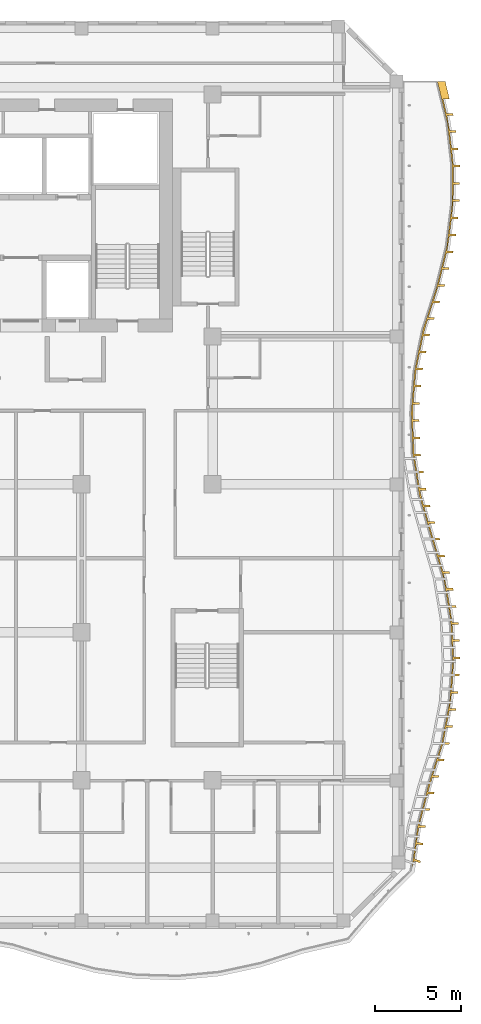
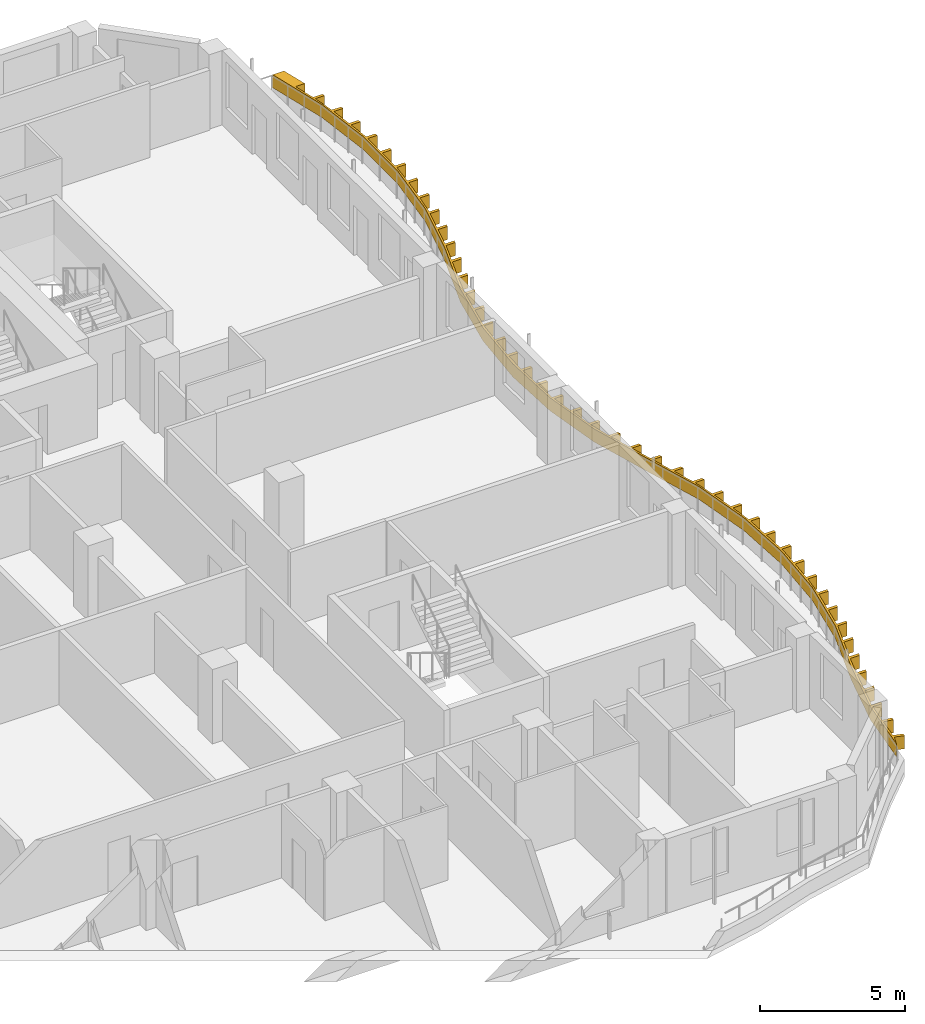
# One storey, part 19 of 22: 1 shading device.
"""IFC4 building model written with IfcOpenShell, lengths in metres."""

from ifc_helpers import new_model, si_unit, direction, frame, origin, place, context, subcontext, project, spatial, polyline, outline, extrude, source, transform, mapped, material, layer, layer_set, type_object, element, save


model = new_model("IFC4")

# Units and contexts
model_context = context("Model", 3, precision=1e-05, world=origin(), true_north=direction((0.0, 1.0)))
body_context = subcontext(model_context, "Body", "Model", "MODEL_VIEW")
ifc_project = project(units=[si_unit("LENGTHUNIT", "METRE"), si_unit("AREAUNIT", "SQUARE_METRE"), si_unit("VOLUMEUNIT", "CUBIC_METRE"), si_unit("PLANEANGLEUNIT", "RADIAN"), si_unit("MASSUNIT", "GRAM", prefix="KILO")], contexts=[model_context])

# Site, building, storey
site_placement = place(None, origin())
site = spatial("IfcSite", under=ifc_project, at=site_placement, CompositionType="ELEMENT")
building_placement = place(site_placement, origin())
building = spatial("IfcBuilding", under=site, at=building_placement, Name="Kilnfold Tower and Market Hall", CompositionType="ELEMENT")
storey_placement = place(building_placement, frame((0.0, 0.0, 213.5)))
storey = spatial("IfcBuildingStorey", under=building, at=storey_placement, Name="L52", CompositionType="ELEMENT", Elevation=213.5)

# Shading device
ifc_material = material(Name="Bronze anodised aluminium", Category="aluminium")
ifc_layer = layer(ifc_material, 0.550048828125)
ifc_layer_set = layer_set([ifc_layer], Name="Bronze anodised aluminium")
shading_device_type = type_object("IfcShadingDeviceType", Name="BRONZE SLAT FASCIA 550", PredefinedType="USERDEFINED", material=ifc_layer_set)
shared_shape = source(origin(), body_context, "Body", "SweptSolid", [
    extrude(outline(polyline([(32.176513671875, -22.467041015625), (31.826904296875, -22.357421875), (31.697509765625, -22.7333984375), (32.02880859375, -20.355224609375), (32.654296875, -17.96044921875), (33.41357421875, -15.56591796875), (33.87744140625, -13.171142578125), (34.048583984375, -10.7763671875), (33.934326171875, -8.381591796875), (33.52978515625, -5.98681640625), (32.816650390625, -3.592041015625), (32.128173828125, -1.197509765625), (31.74658203125, 1.197509765625), (31.654541015625, 3.592041015625), (31.847900390625, 5.98681640625), (32.335205078125, 8.381591796875), (33.105712890625, 10.7763671875), (33.706787109375, 13.171142578125), (34.00732421875, 15.56591796875), (34.020751953125, 17.96044921875), (33.74755859375, 20.355224609375), (33.175537109375, 22.75), (33.62548828125, 22.75), (33.8662109375, 21.742919921875), (33.49609375, 21.742919921875), (33.70068359375, 20.886962890625), (34.070556640625, 20.886962890625), (34.098388671875, 20.770263671875), (33.728515625, 20.770263671875), (33.87890625, 19.90478515625), (34.2490234375, 19.90478515625), (34.2626953125, 19.78564453125), (33.892578125, 19.78564453125), (33.9921875, 18.911376953125), (34.3623046875, 18.911376953125), (34.3759765625, 18.7919921875), (34.005859375, 18.7919921875), (34.1005859375, 17.91748046875), (34.470703125, 17.91748046875), (34.469970703125, 17.797607421875), (34.099853515625, 17.797607421875), (34.094970703125, 16.91748046875), (34.465087890625, 16.91748046875), (34.46435546875, 16.797607421875), (34.09423828125, 16.797607421875), (34.08935546875, 15.91748046875), (34.45947265625, 15.91748046875), (34.458740234375, 15.797607421875), (34.088623046875, 15.797607421875), (34.006591796875, 14.922607421875), (34.376708984375, 14.922607421875), (34.36181640625, 14.803466796875), (33.99169921875, 14.803466796875), (33.882080078125, 13.930419921875), (34.252197265625, 13.930419921875), (34.2373046875, 13.811279296875), (33.8671875, 13.811279296875), (33.729736328125, 12.943359375), (34.099609375, 12.943359375), (34.070556640625, 12.826904296875), (33.700439453125, 12.826904296875), (33.486328125, 11.973388671875), (33.856201171875, 11.973388671875), (33.8271484375, 11.857177734375), (33.45703125, 11.857177734375), (33.242919921875, 11.003662109375), (33.61279296875, 11.003662109375), (33.58349609375, 10.88720703125), (33.213623046875, 10.88720703125), (32.951416015625, 10.04736328125), (33.3212890625, 10.04736328125), (33.284423828125, 9.93310546875), (32.91455078125, 9.93310546875), (32.64501953125, 9.095458984375), (33.014892578125, 9.095458984375), (32.978271484375, 8.981201171875), (32.608154296875, 8.981201171875), (32.365478515625, 8.136474609375), (32.7353515625, 8.136474609375), (32.71142578125, 8.01904296875), (32.341552734375, 8.01904296875), (32.166015625, 7.156494140625), (32.535888671875, 7.156494140625), (32.51220703125, 7.0390625), (32.14208984375, 7.0390625), (31.966552734375, 6.1767578125), (32.336669921875, 6.1767578125), (32.3125, 6.05908203125), (31.942626953125, 6.05908203125), (31.863037109375, 5.18310546875), (32.23291015625, 5.18310546875), (32.223388671875, 5.063720703125), (31.853271484375, 5.063720703125), (31.782470703125, 4.1865234375), (32.152587890625, 4.1865234375), (32.142822265625, 4.06689453125), (31.772705078125, 4.06689453125), (31.75, 3.188720703125), (32.1201171875, 3.188720703125), (32.12451171875, 3.06884765625), (31.754638671875, 3.06884765625), (31.788330078125, 2.189453125), (32.158447265625, 2.189453125), (32.1630859375, 2.069580078125), (31.79296875, 2.069580078125), (31.82763671875, 1.190185546875), (32.197509765625, 1.190185546875), (32.216552734375, 1.07177734375), (31.846435546875, 1.07177734375), (31.985107421875, 0.20263671875), (32.35498046875, 0.20263671875), (32.373779296875, 0.084228515625), (32.00390625, 0.084228515625), (32.142333984375, -0.784912109375), (32.512451171875, -0.784912109375), (32.53125, -0.9033203125), (32.1611328125, -0.9033203125), (32.368896484375, -1.7568359375), (32.739013671875, -1.7568359375), (32.772216796875, -1.872314453125), (32.402099609375, -1.872314453125), (32.645263671875, -2.718017578125), (33.015380859375, -2.718017578125), (33.04833984375, -2.833251953125), (32.678466796875, -2.833251953125), (32.92236328125, -3.6787109375), (33.29248046875, -3.6787109375), (33.32666015625, -3.793701171875), (32.956787109375, -3.793701171875), (33.207763671875, -4.63720703125), (33.577880859375, -4.63720703125), (33.612060546875, -4.752197265625), (33.2421875, -4.752197265625), (33.4931640625, -5.595703125), (33.86328125, -5.595703125), (33.8974609375, -5.710693359375), (33.527587890625, -5.710693359375), (33.708251953125, -6.5703125), (34.078369140625, -6.5703125), (34.098388671875, -6.688720703125), (33.728271484375, -6.688720703125), (33.875, -7.556396484375), (34.244873046875, -7.556396484375), (34.264892578125, -7.6748046875), (33.89501953125, -7.6748046875), (34.022216796875, -8.54443359375), (34.39208984375, -8.54443359375), (34.397705078125, -8.664306640625), (34.02783203125, -8.664306640625), (34.06982421875, -9.54345703125), (34.439697265625, -9.54345703125), (34.445556640625, -9.663330078125), (34.075439453125, -9.663330078125), (34.117431640625, -10.542236328125), (34.4873046875, -10.542236328125), (34.4931640625, -10.662109375), (34.123291015625, -10.662109375), (34.073974609375, -11.5400390625), (34.444091796875, -11.5400390625), (34.435546875, -11.659912109375), (34.0654296875, -11.659912109375), (34.002685546875, -12.53759765625), (34.372802734375, -12.53759765625), (34.3642578125, -12.6572265625), (33.994140625, -12.6572265625), (33.88818359375, -13.529296875), (34.258056640625, -13.529296875), (34.2353515625, -13.647216796875), (33.865234375, -13.647216796875), (33.697998046875, -14.510986328125), (34.06787109375, -14.510986328125), (34.045166015625, -14.62890625), (33.675048828125, -14.62890625), (33.5078125, -15.49267578125), (33.877685546875, -15.49267578125), (33.863525390625, -15.56591796875), (33.849609375, -15.609130859375), (33.479736328125, -15.609130859375), (33.2138671875, -16.447998046875), (33.583740234375, -16.447998046875), (33.547607421875, -16.5625), (33.177490234375, -16.5625), (32.91162109375, -17.4013671875), (33.281494140625, -17.4013671875), (33.2451171875, -17.515625), (32.875244140625, -17.515625), (32.629638671875, -18.360595703125), (32.999755859375, -18.360595703125), (32.969482421875, -18.4765625), (32.599365234375, -18.4765625), (32.376953125, -19.327880859375), (32.7470703125, -19.327880859375), (32.716796875, -19.444091796875), (32.3466796875, -19.444091796875), (32.124267578125, -20.29541015625), (32.494384765625, -20.29541015625), (32.47021484375, -20.4150390625), (32.1005859375, -20.412109375), (31.978759765625, -21.267822265625), (32.341064453125, -21.31787109375), (32.323486328125, -21.441162109375), (31.96240234375, -21.384521484375), (31.843017578125, -22.24072265625), (32.1943359375, -22.343994140625), (32.176513671875, -22.467041015625)])), origin(), (0.0, 0.0, 1.0), 0.550048828125),
])
shading_device_placement = place(storey_placement, frame((0.0, 0.0, 0.550048828125)))
element("IfcShadingDevice", 1, at=shading_device_placement, inside=storey, type_object=shading_device_type, Name="Balcony slat fascia L52", ObjectType="SLAT", PredefinedType="USERDEFINED", context=body_context, shape_type="MappedRepresentation", body=[
    mapped(shared_shape, transform((0.0, 0.0, 0.0))),
])

save(model, "model.ifc")
